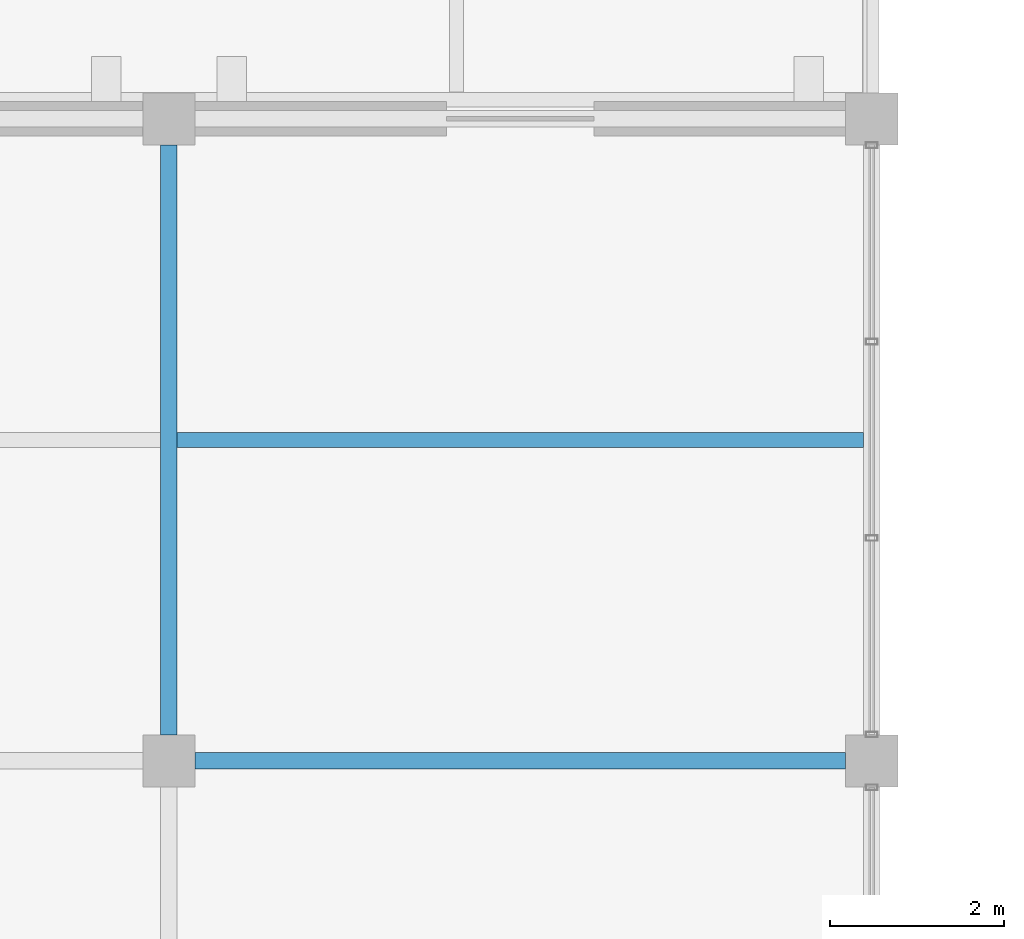
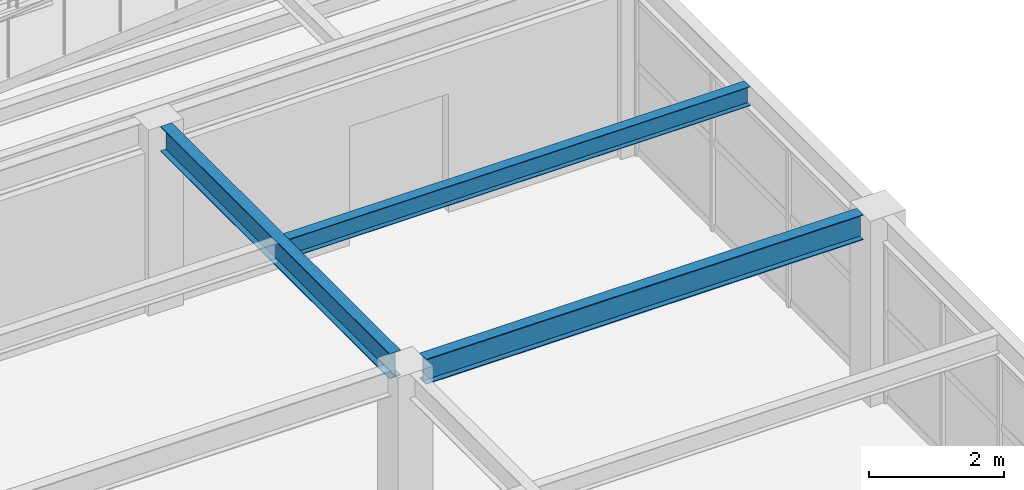
# One storey, part 53 of 121: 3 beams.
"""IFC4 building model written with IfcOpenShell, lengths in metres."""

import ifcopenshell
import ifcopenshell.guid

model = None  # the IFC model being written
_history = None  # IfcOwnerHistory: only IFC2X3 demands one
_inside = {}  # id of a spatial element -> (the spatial element, [elements in it])
_under = {}  # id of a project, library or spatial element -> (it, [spatial elements below it])
_declared = {}  # id of a project -> (the project, [libraries it declares])
_typed = {}  # id of a type object -> (the type object, [elements of that type])
_made_of = {}  # id of a material, layer set ... -> (it, [elements and type objects made of it])


def new_model(schema):
    """Start an empty IFC model of exactly this schema.

    Asked for "IFC4X3", IfcOpenShell would pick the latest addendum, in which some entities
    have other attributes; the version numbers below select the first issue.
    IFC2X3 requires an IfcOwnerHistory on every rooted entity: one is made here for all.
    """
    global model, _history
    if schema == "IFC4X3":
        model = ifcopenshell.file(schema_version=(4, 3, 0, 0))
    else:
        model = ifcopenshell.file(schema=schema)
    _inside.clear()
    _under.clear()
    _declared.clear()
    _typed.clear()
    _made_of.clear()
    _history = None
    if model.schema == "IFC2X3":
        org = make("IfcOrganization", Name="unknown")
        user = make(
            "IfcPersonAndOrganization",
            ThePerson=make("IfcPerson", FamilyName="unknown"),
            TheOrganization=org,
        )
        app = make(
            "IfcApplication",
            ApplicationDeveloper=org,
            Version="unknown",
            ApplicationFullName="unknown",
            ApplicationIdentifier="unknown",
        )
        _history = make(
            "IfcOwnerHistory",
            OwningUser=user,
            OwningApplication=app,
            ChangeAction="ADDED",
            CreationDate=0,
        )
    return model


def make(cls, **values):
    """One entity of the class cls with the attributes given. An attribute that is None is left unset."""
    return model.create_entity(
        cls, **{name: value for name, value in values.items() if value is not None}
    )


def rooted(cls, **values):
    """An entity with a GlobalId (a new one), such as an element, a storey or a relation."""
    return make(cls, GlobalId=ifcopenshell.guid.new(), OwnerHistory=_history, **values)


def si_unit(unit_type, name, prefix=None):
    """IfcSIUnit, for example si_unit("LENGTHUNIT", "METRE", prefix="MILLI")."""
    return make("IfcSIUnit", UnitType=unit_type, Prefix=prefix, Name=name)


def assignment(units):
    """IfcUnitAssignment: the units of a project."""
    return None if units is None else make("IfcUnitAssignment", Units=units)


def point(xyz):
    """IfcCartesianPoint."""
    return None if xyz is None else make("IfcCartesianPoint", Coordinates=xyz)


def direction(xyz):
    """IfcDirection."""
    return None if xyz is None else make("IfcDirection", DirectionRatios=xyz)


def frame(location, z_axis=None, x_axis=None):
    """IfcAxis2Placement3D, a coordinate frame: its origin and axes. An axis left out is left unset."""
    return make(
        "IfcAxis2Placement3D",
        Location=point(location),
        Axis=direction(z_axis),
        RefDirection=direction(x_axis),
    )


def frame_2d(location, x_axis=None):
    """IfcAxis2Placement2D, a coordinate frame in the plane: its origin and x axis."""
    return make(
        "IfcAxis2Placement2D", Location=point(location), RefDirection=direction(x_axis)
    )


def origin():
    """The frame at (0, 0, 0) with its axes left unset."""
    return frame((0.0, 0.0, 0.0))


def origin_2d():
    """The frame at (0, 0) in the plane with its x axis left unset."""
    return frame_2d((0.0, 0.0))


def place(relative_to, where):
    """IfcLocalPlacement: puts the frame where relative to a parent placement (None: the world)."""
    return make(
        "IfcLocalPlacement", PlacementRelTo=relative_to, RelativePlacement=where
    )


def context(
    kind, dimensions, precision=None, world=None, true_north=None, identifier=None
):
    """IfcGeometricRepresentationContext, for example the 3D "Model" context."""
    return make(
        "IfcGeometricRepresentationContext",
        ContextIdentifier=identifier,
        ContextType=kind,
        CoordinateSpaceDimension=dimensions,
        Precision=precision,
        WorldCoordinateSystem=world,
        TrueNorth=true_north,
    )


def subcontext(parent, identifier, kind, view, scale=None):
    """IfcGeometricRepresentationSubContext, for example "Body" below "Model"."""
    return make(
        "IfcGeometricRepresentationSubContext",
        ContextIdentifier=identifier,
        ContextType=kind,
        ParentContext=parent,
        TargetScale=scale,
        TargetView=view,
    )


def project(units=None, contexts=None):
    """IfcProject with its units and contexts."""
    return rooted(
        "IfcProject",
        Name="project",
        RepresentationContexts=contexts,
        UnitsInContext=assignment(units),
    )


def spatial(cls, under=None, at=None, **own):
    """A site, building, storey or space (cls), placed at a placement, below another one or the project."""
    s = rooted(cls, ObjectPlacement=at, **own)
    if under is not None:
        _under.setdefault(under.id(), (under, []))[1].append(s)
    return s


def profile(cls, at=None, kind="AREA", **sizes):
    """A parametric profile (cls). Its sizes go by their IFC names, for example OverallWidth=200.0."""
    return make(cls, ProfileType=kind, Position=at, **sizes)


def i_section(**sizes):
    """IfcIShapeProfileDef."""
    return profile("IfcIShapeProfileDef", **sizes)


def extrude(swept, where, along, depth):
    """IfcExtrudedAreaSolid: the profile swept, set in the frame where, extruded along a direction by depth."""
    return make(
        "IfcExtrudedAreaSolid",
        SweptArea=swept,
        Position=where,
        ExtrudedDirection=direction(along),
        Depth=depth,
    )


def shape(context_of_items, identifier, shape_type, items):
    """IfcShapeRepresentation: the items that make up one representation, for example the "Body"."""
    return make(
        "IfcShapeRepresentation",
        ContextOfItems=context_of_items,
        RepresentationIdentifier=identifier,
        RepresentationType=shape_type,
        Items=items,
    )


def material(Name=None, Category=None):
    """IfcMaterial."""
    return make("IfcMaterial", Name=Name, Category=Category)


def material_profile(
    of_material, cross_section, Name=None, Category=None, Priority=None
):
    """IfcMaterialProfile: a cross section and its material."""
    return make(
        "IfcMaterialProfile",
        Name=Name,
        Material=of_material,
        Profile=cross_section,
        Priority=Priority,
        Category=Category,
    )


def profile_set(profiles, Name=None, composite=None):
    """IfcMaterialProfileSet."""
    return make(
        "IfcMaterialProfileSet",
        Name=Name,
        MaterialProfiles=profiles,
        CompositeProfile=composite,
    )


def made_of(thing, what):
    """Note that an element or type object is made of a material, layer set ...; save() writes the relation."""
    if what is not None:
        _made_of.setdefault(what.id(), (what, []))[1].append(thing)
    return thing


def type_object(cls, material=None, **own):
    """A type object (cls), such as IfcWallType, which elements share."""
    return made_of(rooted(cls, **own), material)


def element(
    cls,
    number,
    at=None,
    inside=None,
    cuts=None,
    type_object=None,
    material=None,
    context=None,
    identifier="Body",
    shape_type=None,
    held_by="IfcProductDefinitionShape",
    body=None,
    shapes=None,
    **own,
):
    """One element of the class cls, such as IfcWall. Its Tag is "e" and its number.

    at: its placement. inside: the storey or other place that contains it. cuts: it is an
    opening in that element (IfcRelVoidsElement). A single representation is given by context,
    identifier, shape_type and body (its items); several are given by shapes. held_by: the class
    of the entity that holds the representations. save() writes the other relations.
    """
    e = rooted(cls, Tag="e%d" % number, ObjectPlacement=at, **own)
    if body is not None:
        shapes = [shape(context, identifier, shape_type, body)]
    if shapes is not None:
        e.Representation = make(held_by, Representations=shapes)
    if inside is not None:
        _inside.setdefault(inside.id(), (inside, []))[1].append(e)
    if cuts is not None:
        rooted(
            "IfcRelVoidsElement", RelatingBuildingElement=cuts, RelatedOpeningElement=e
        )
    if type_object is not None:
        _typed.setdefault(type_object.id(), (type_object, []))[1].append(e)
    return made_of(e, material)


def aggregate(whole, parts):
    """IfcRelAggregates: a whole, such as a stair, and the parts it consists of."""
    return rooted("IfcRelAggregates", RelatingObject=whole, RelatedObjects=parts)


def save(model, path):
    """Write the relations noted so far, then the file.

    IfcRelAggregates (storeys below a building ...), IfcRelContainedInSpatialStructure (elements
    in a storey), IfcRelDefinesByType, IfcRelAssociatesMaterial and IfcRelDeclares: one each for
    every whole, place, type object, material and project.
    """
    for whole, parts in _under.values():
        aggregate(whole, parts)
    for where, things in _inside.values():
        rooted(
            "IfcRelContainedInSpatialStructure",
            RelatedElements=things,
            RelatingStructure=where,
        )
    for kind, things in _typed.values():
        rooted("IfcRelDefinesByType", RelatedObjects=things, RelatingType=kind)
    for what, things in _made_of.values():
        rooted("IfcRelAssociatesMaterial", RelatedObjects=things, RelatingMaterial=what)
    for by, libraries in _declared.values():
        rooted("IfcRelDeclares", RelatingContext=by, RelatedDefinitions=libraries)
    model.write(path)


model = new_model("IFC4")

# Units and contexts
model_context = context("Model", 3, precision=1e-05, world=origin(), true_north=direction((0.0, 1.0)))
body_context = subcontext(model_context, "Body", "Model", "MODEL_VIEW")
ifc_project = project(units=[si_unit("LENGTHUNIT", "METRE"), si_unit("AREAUNIT", "SQUARE_METRE"), si_unit("VOLUMEUNIT", "CUBIC_METRE"), si_unit("PLANEANGLEUNIT", "RADIAN"), si_unit("MASSUNIT", "GRAM", prefix="KILO")], contexts=[model_context])

# Site, building, storey
site_placement = place(None, origin())
site = spatial("IfcSite", under=ifc_project, at=site_placement, CompositionType="ELEMENT")
building_placement = place(site_placement, origin())
building = spatial("IfcBuilding", under=site, at=building_placement, Name="Cimatlan Art Gallery", CompositionType="ELEMENT")
storey_placement = place(building_placement, frame((0.0, 0.0, 10.199951171875)))
storey = spatial("IfcBuildingStorey", under=building, at=storey_placement, Name="L02", CompositionType="ELEMENT", Elevation=10.199951171875)

# Beams
ifc_material = material(Name="Steel ASTM A992 Grade 50", Category="steel")
ifc_material_profile_1 = material_profile(ifc_material, i_section(OverallWidth=0.1708984375, OverallDepth=0.35107421875, WebThickness=0.0068359375, FlangeThickness=0.009765625, at=origin_2d()), Name="W14X30")
ifc_profile_set_1 = profile_set([ifc_material_profile_1], Name="Steel ASTM A992 Grade 50")
beam_type_1 = type_object("IfcBeamType", Name="BM-STL-W14X30", PredefinedType="JOIST", material=ifc_profile_set_1)
beam_1_placement = place(storey_placement, frame((42.595458984375, 86.800048828125, 3.194580078125), z_axis=(1.0, 0.0, 0.0), x_axis=(0.0, 1.0, 0.0)))
element("IfcBeam", 1, at=beam_1_placement, inside=storey, type_object=beam_type_1, Name="JST-L02-05-11", PredefinedType="JOIST", context=body_context, shape_type="SweptSolid", body=[
    extrude(i_section(OverallWidth=0.1708984375, OverallDepth=0.35107421875, WebThickness=0.0068359375, FlangeThickness=0.009765625, at=origin_2d()), origin(), (0.0, 0.0, 1.0), 7.908935546875),
])
ifc_material_profile_2 = material_profile(ifc_material, i_section(OverallWidth=0.19091796875, OverallDepth=0.45703125, WebThickness=0.009033203125, FlangeThickness=0.014404296875, at=origin_2d()), Name="W18X50")
ifc_profile_set_2 = profile_set([ifc_material_profile_2], Name="Steel ASTM A992 Grade 50")
beam_type_2 = type_object("IfcBeamType", Name="BM-STL-W18X50", PredefinedType="BEAM", material=ifc_profile_set_2)
beam_2_placement = place(storey_placement, frame((42.5, 83.39990234375, 3.1416015625), z_axis=(0.0, 1.0, 0.0), x_axis=(-1.0, 0.0, 0.0)))
element("IfcBeam", 2, at=beam_2_placement, inside=storey, type_object=beam_type_2, Name="BM-Y-L02-05-11", PredefinedType="BEAM", context=body_context, shape_type="SweptSolid", body=[
    extrude(i_section(OverallWidth=0.19091796875, OverallDepth=0.45703125, WebThickness=0.009033203125, FlangeThickness=0.014404296875, at=origin_2d()), origin(), (0.0, 0.0, 1.0), 6.800048828125),
])
beam_3_placement = place(storey_placement, frame((42.800048828125, 83.10009765625, 3.1416015625), z_axis=(1.0, 0.0, 0.0), x_axis=(0.0, 1.0, 0.0)))
element("IfcBeam", 3, at=beam_3_placement, inside=storey, type_object=beam_type_2, Name="BM-X-L02-05-11", PredefinedType="BEAM", context=body_context, shape_type="SweptSolid", body=[
    extrude(i_section(OverallWidth=0.19091796875, OverallDepth=0.45703125, WebThickness=0.009033203125, FlangeThickness=0.014404296875, at=origin_2d()), origin(), (0.0, 0.0, 1.0), 7.5),
])

save(model, "model.ifc")
